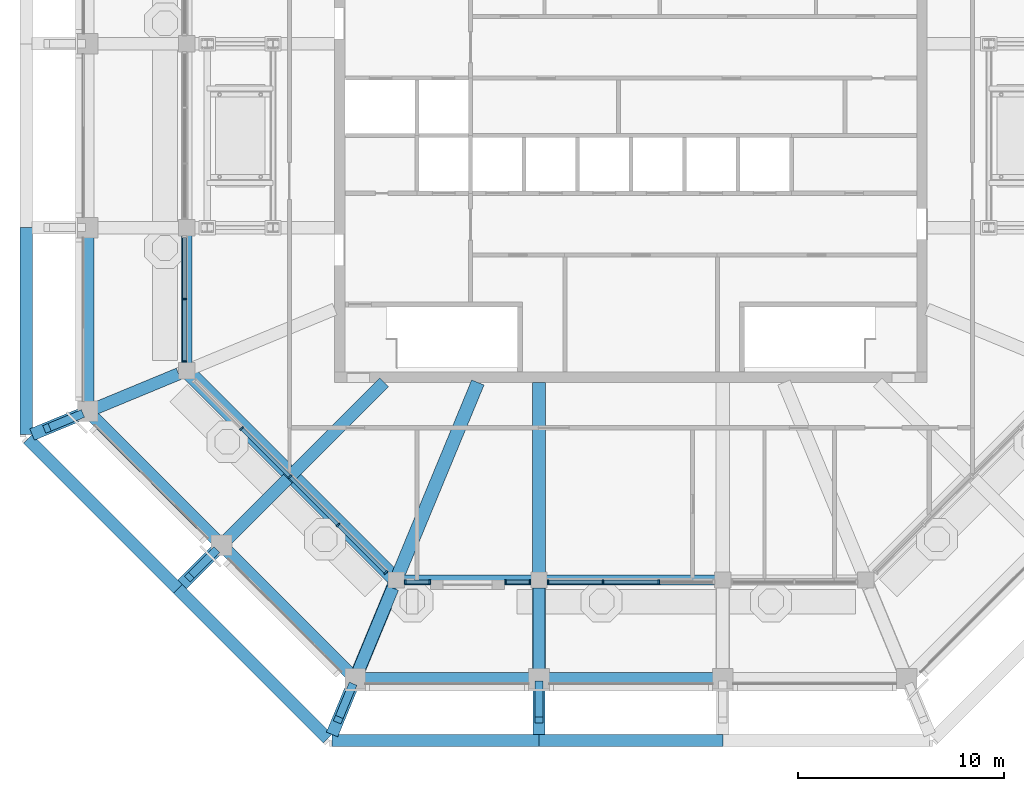
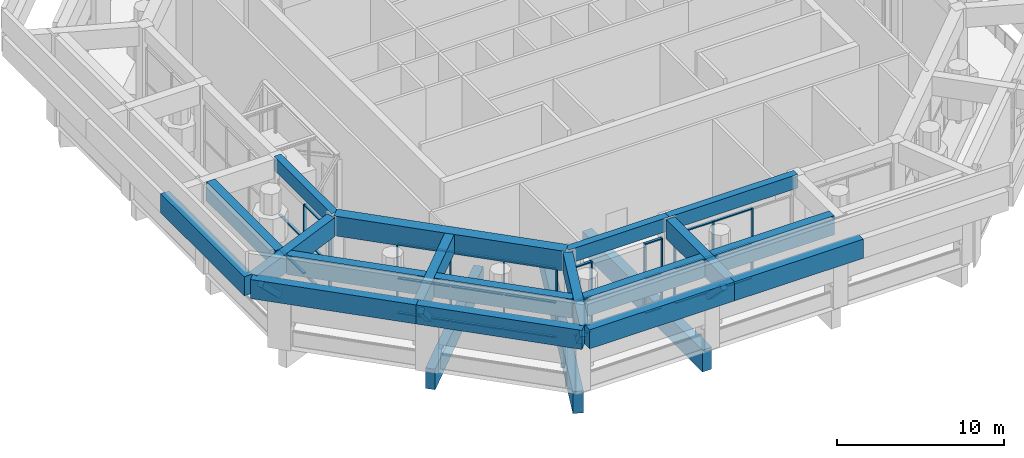
# One storey, part 5 of 29: 43 members, 21 beams, 5 elements without a shape of their own.
"""IFC4 building model written with IfcOpenShell, lengths in metres."""

from ifc_helpers import new_model, si_unit, direction, frame, origin, origin_2d, place, context, subcontext, project, spatial, rectangle, extrude, material, material_profile, profile_set, type_object, element, aggregate, save


model = new_model("IFC4")

# Units and contexts
model_context = context("Model", 3, precision=1e-05, world=origin(), true_north=direction((0.0, 1.0)))
body_context = subcontext(model_context, "Body", "Model", "MODEL_VIEW")
ifc_project = project(units=[si_unit("LENGTHUNIT", "METRE"), si_unit("AREAUNIT", "SQUARE_METRE"), si_unit("VOLUMEUNIT", "CUBIC_METRE"), si_unit("PLANEANGLEUNIT", "RADIAN"), si_unit("MASSUNIT", "GRAM", prefix="KILO")], contexts=[model_context])

# Site, building, storey
site_placement = place(None, origin())
site = spatial("IfcSite", under=ifc_project, at=site_placement, CompositionType="ELEMENT")
building_placement = place(site_placement, origin())
building = spatial("IfcBuilding", under=site, at=building_placement, Name="Msitu Wima Residences", CompositionType="ELEMENT")
storey_placement = place(building_placement, frame((0.0, 0.0, 320.10009765625)))
storey = spatial("IfcBuildingStorey", under=building, at=storey_placement, Name="L74", CompositionType="ELEMENT", Elevation=320.10009765625)

# Beams
ifc_material_1 = material(Name="Concrete C60/75", Category="concrete")
ifc_material_profile_1 = material_profile(ifc_material_1, rectangle(XDim=0.60009765625, YDim=1.39990234375, at=origin_2d()), Name="RC 600x1400")
ifc_profile_set_1 = profile_set([ifc_material_profile_1], Name="Concrete C60/75")
beam_type_1 = type_object("IfcBeamType", Name="Canopy cantilever beam CT600x1400", PredefinedType="BEAM", material=ifc_profile_set_1)
beam_1_placement = place(storey_placement, frame((-21.989013671875, -11.578857421875, 5.89990234375), z_axis=(-0.923884437241, -0.382671591087, 0.0), x_axis=(0.382671591087, -0.923884437241, 0.0)))
element("IfcBeam", 1, at=beam_1_placement, inside=storey, type_object=beam_type_1, Name="Canopy cantilever beam C-SW0", PredefinedType="BEAM", context=body_context, shape_type="SweptSolid", body=[
    extrude(rectangle(XDim=0.60009765625, YDim=1.39990234375, at=origin_2d()), origin(), (0.0, 0.0, 1.0), 7.708740234375),
])
beam_2_placement = place(storey_placement, frame((-16.677001953125, -16.677001953125, 5.89990234375), z_axis=(-0.707106781187, -0.707106781187, 0.0), x_axis=(0.707106781187, -0.707106781187, 0.0)))
element("IfcBeam", 2, at=beam_2_placement, inside=storey, type_object=beam_type_1, Name="Canopy cantilever beam C-SW1", PredefinedType="BEAM", context=body_context, shape_type="SweptSolid", body=[
    extrude(rectangle(XDim=0.60009765625, YDim=1.39990234375, at=origin_2d()), origin(), (0.0, 0.0, 1.0), 7.274169921875),
])
beam_3_placement = place(storey_placement, frame((-11.578857421875, -21.989013671875, 5.89990234375), z_axis=(-0.382671591087, -0.923884437241, 0.0), x_axis=(0.923884437241, -0.382671591087, 0.0)))
element("IfcBeam", 3, at=beam_3_placement, inside=storey, type_object=beam_type_1, Name="Canopy cantilever beam C-S0", PredefinedType="BEAM", context=body_context, shape_type="SweptSolid", body=[
    extrude(rectangle(XDim=0.60009765625, YDim=1.39990234375, at=origin_2d()), origin(), (0.0, 0.0, 1.0), 7.708740234375),
])
beam_4_placement = place(storey_placement, frame((-4.46875, -21.988037109375, 5.89990234375), z_axis=(0.0, -1.0, 0.0), x_axis=(1.0, 0.0, 0.0)))
element("IfcBeam", 4, at=beam_4_placement, inside=storey, type_object=beam_type_1, Name="Canopy cantilever beam C-S1", PredefinedType="BEAM", context=body_context, shape_type="SweptSolid", body=[
    extrude(rectangle(XDim=0.60009765625, YDim=1.39990234375, at=origin_2d()), origin(), (0.0, 0.0, 1.0), 7.1240234375),
])

# Members
ifc_material_profile_2 = material_profile(ifc_material_1, rectangle(XDim=0.39990234375, YDim=0.39990234375, at=origin_2d()), Name="RC 400x400")
ifc_profile_set_2 = profile_set([ifc_material_profile_2], Name="Concrete C60/75")
member_type_1 = type_object("IfcMemberType", Name="Canopy knee strut KS400", PredefinedType="STRUT", material=ifc_profile_set_2)
member_1_placement = place(storey_placement, frame((-26.7724609375, -13.560302734375, 3.699951171875), z_axis=(-0.653318495526, -0.270580195263, 0.707079416568), x_axis=(0.382643374349, -0.923896124067, 0.0)))
element("IfcMember", 5, at=member_1_placement, inside=storey, type_object=member_type_1, Name="Canopy knee strut C-SW0", PredefinedType="STRUT", context=body_context, shape_type="SweptSolid", body=[
    extrude(rectangle(XDim=0.39990234375, YDim=0.39990234375, at=origin_2d()), origin(), (0.0, 0.0, 1.0), 2.474853515625),
])
member_2_placement = place(storey_placement, frame((-20.22607421875, -20.22607421875, 3.699951171875), z_axis=(-0.500022618013, -0.500022618013, 0.707074793039), x_axis=(0.707106781187, -0.707106781187, 0.0)))
element("IfcMember", 6, at=member_2_placement, inside=storey, type_object=member_type_1, Name="Canopy knee strut C-SW1", PredefinedType="STRUT", context=body_context, shape_type="SweptSolid", body=[
    extrude(rectangle(XDim=0.39990234375, YDim=0.39990234375, at=origin_2d()), origin(), (0.0, 0.0, 1.0), 2.47509765625),
])
for number, where, z_axis, x_axis, name in (
    (7, (-13.560302734375, -26.7724609375, 3.699951171875), (-0.270580195263, -0.653318495526, 0.707079416568), (0.923896124067, -0.382643374349, 0.0), "Canopy knee strut C-S0"),
    (8, (-4.46875, -26.64990234375, 3.699951171875), (0.0, -0.707106781187, 0.707106781187), (1.0, 0.0, 0.0), "Canopy knee strut C-S1"),
):
    element("IfcMember", number, at=place(storey_placement, frame(where, z_axis=z_axis, x_axis=x_axis)), inside=storey, type_object=member_type_1, Name=name, PredefinedType="STRUT", context=body_context, shape_type="SweptSolid", body=[
        extrude(rectangle(XDim=0.39990234375, YDim=0.39990234375, at=origin_2d()), origin(), (0.0, 0.0, 1.0), 2.474853515625),
    ])

# Beams
ifc_material_profile_3 = material_profile(ifc_material_1, rectangle(XDim=0.5, YDim=1.0, at=origin_2d()), Name="RC 500x1000")
ifc_profile_set_3 = profile_set([ifc_material_profile_3], Name="Concrete C60/75")
beam_type_2 = type_object("IfcBeamType", Name="Chamber ring beam CB500x1000", PredefinedType="BEAM", material=ifc_profile_set_3)
for number, where, z_axis, x_axis, name in (
    (9, (-21.60009765625, -4.46875, 6.099853515625), (0.0, -1.0, 0.0), (1.0, 0.0, 0.0), "Chamber ring beam CH10"),
    (10, (-11.417724609375, -21.60009765625, 6.099853515625), (1.0, 0.0, 0.0), (0.0, 1.0, 0.0), "Chamber ring beam CH12"),
):
    element("IfcBeam", number, at=place(storey_placement, frame(where, z_axis=z_axis, x_axis=x_axis)), inside=storey, type_object=beam_type_2, Name=name, PredefinedType="BEAM", context=body_context, shape_type="SweptSolid", body=[
        extrude(rectangle(XDim=0.5, YDim=1.0, at=origin_2d()), origin(), (0.0, 0.0, 1.0), 6.948974609375),
    ])
beam_5_placement = place(storey_placement, frame((-4.46875, -21.60009765625, 6.099853515625), z_axis=(1.0, 0.0, 0.0), x_axis=(0.0, 1.0, 0.0)))
element("IfcBeam", 11, at=beam_5_placement, inside=storey, type_object=beam_type_2, Name="Chamber ring beam CH13", PredefinedType="BEAM", context=body_context, shape_type="SweptSolid", body=[
    extrude(rectangle(XDim=0.5, YDim=1.0, at=origin_2d()), origin(), (0.0, 0.0, 1.0), 8.9375),
])
ifc_material_profile_4 = material_profile(ifc_material_1, rectangle(XDim=0.75, YDim=1.449951171875, at=origin_2d()), Name="RC 750x1450")
ifc_profile_set_4 = profile_set([ifc_material_profile_4], Name="Concrete C60/75")
beam_type_3 = type_object("IfcBeamType", Name="Chamber ring beam CB750x1450", PredefinedType="BEAM", material=ifc_profile_set_4)
beam_6_placement = place(storey_placement, frame((-21.60009765625, -11.417724609375, 5.875), z_axis=(0.707106781187, -0.707106781187, 0.0), x_axis=(0.707106781187, 0.707106781187, 0.0)))
element("IfcBeam", 12, at=beam_6_placement, inside=storey, type_object=beam_type_3, Name="Chamber ring beam CH11", PredefinedType="BEAM", context=body_context, shape_type="SweptSolid", body=[
    extrude(rectangle(XDim=0.75, YDim=1.449951171875, at=origin_2d()), origin(), (0.0, 0.0, 1.0), 14.400146484375),
])
ifc_material_profile_5 = material_profile(ifc_material_1, rectangle(XDim=0.60009765625, YDim=1.5, at=origin_2d()), Name="RC 600x1500")
ifc_profile_set_5 = profile_set([ifc_material_profile_5], Name="Concrete C60/75")
beam_type_4 = type_object("IfcBeamType", Name="Deck girder DG600x1500", PredefinedType="BEAM", material=ifc_profile_set_5)
beam_7_placement = place(storey_placement, frame((-19.90283203125, -19.90283203125, -1.050048828125), z_axis=(0.707106781187, 0.707106781187, 0.0), x_axis=(-0.707106781187, 0.707106781187, 0.0)))
element("IfcBeam", 13, at=beam_7_placement, inside=storey, type_object=beam_type_4, Name="Deck girder C-SW1", PredefinedType="BEAM", context=body_context, shape_type="SweptSolid", body=[
    extrude(rectangle(XDim=0.60009765625, YDim=1.5, at=origin_2d()), origin(), (0.0, 0.0, 1.0), 11.17626953125),
])
ifc_material_profile_6 = material_profile(ifc_material_1, rectangle(XDim=0.64990234375, YDim=1.60009765625, at=origin_2d()), Name="RC 650x1600")
ifc_profile_set_6 = profile_set([ifc_material_profile_6], Name="Concrete C60/75")
beam_type_5 = type_object("IfcBeamType", Name="Deck girder DG650x1600", PredefinedType="BEAM", material=ifc_profile_set_6)
beam_8_placement = place(storey_placement, frame((-13.406005859375, -26.39990234375, -1.10009765625), z_axis=(0.382694872378, 0.92387479382, 0.0), x_axis=(-0.92387479382, 0.382694872378, 0.0)))
element("IfcBeam", 14, at=beam_8_placement, inside=storey, type_object=beam_type_5, Name="Deck girder C-S0", PredefinedType="BEAM", context=body_context, shape_type="SweptSolid", body=[
    extrude(rectangle(XDim=0.64990234375, YDim=1.60009765625, at=origin_2d()), origin(), (0.0, 0.0, 1.0), 15.58642578125),
])
beam_9_placement = place(storey_placement, frame((-4.46875, -26.39990234375, -1.10009765625), z_axis=(0.0, 1.0, 0.0), x_axis=(-1.0, 0.0, 0.0)))
element("IfcBeam", 15, at=beam_9_placement, inside=storey, type_object=beam_type_5, Name="Deck girder C-S1", PredefinedType="BEAM", context=body_context, shape_type="SweptSolid", body=[
    extrude(rectangle(XDim=0.64990234375, YDim=1.60009765625, at=origin_2d()), origin(), (0.0, 0.0, 1.0), 14.39990234375),
])
ifc_material_profile_7 = material_profile(ifc_material_1, rectangle(XDim=0.60009765625, YDim=1.39990234375, at=origin_2d()), Name="RC 600x1400")
ifc_profile_set_7 = profile_set([ifc_material_profile_7], Name="Concrete C60/75")
beam_type_6 = type_object("IfcBeamType", Name="Fascia beam FB600x1400", PredefinedType="BEAM", material=ifc_profile_set_7)
beam_10_placement = place(storey_placement, frame((-26.39990234375, -4.756591796875, 5.89990234375), z_axis=(0.0, -1.0, 0.0), x_axis=(1.0, 0.0, 0.0)))
element("IfcBeam", 16, at=beam_10_placement, inside=storey, type_object=beam_type_6, Name="Canopy fascia beam C-W2", PredefinedType="BEAM", context=body_context, shape_type="SweptSolid", body=[
    extrude(rectangle(XDim=0.60009765625, YDim=1.39990234375, at=origin_2d()), origin(), (0.0, 0.0, 1.0), 8.336669921875),
])
for number, where, z_axis, x_axis, name in (
    (17, (-26.178955078125, -13.626953125, 5.89990234375), (0.707106781187, -0.707106781187, 0.0), (0.707106781187, 0.707106781187, 0.0), "Canopy fascia beam C-SW0"),
    (18, (-19.69921875, -20.106689453125, 5.89990234375), (0.707106781187, -0.707106781187, 0.0), (0.707106781187, 0.707106781187, 0.0), "Canopy fascia beam C-SW1"),
):
    element("IfcBeam", number, at=place(storey_placement, frame(where, z_axis=z_axis, x_axis=x_axis)), inside=storey, type_object=beam_type_6, Name=name, PredefinedType="BEAM", context=body_context, shape_type="SweptSolid", body=[
        extrude(rectangle(XDim=0.60009765625, YDim=1.39990234375, at=origin_2d()), origin(), (0.0, 0.0, 1.0), 8.58740234375),
    ])
beam_11_placement = place(storey_placement, frame((-13.09326171875, -26.39990234375, 5.89990234375), z_axis=(1.0, 0.0, 0.0), x_axis=(0.0, 1.0, 0.0)))
element("IfcBeam", 19, at=beam_11_placement, inside=storey, type_object=beam_type_6, Name="Canopy fascia beam C-S0", PredefinedType="BEAM", context=body_context, shape_type="SweptSolid", body=[
    extrude(rectangle(XDim=0.60009765625, YDim=1.39990234375, at=origin_2d()), origin(), (0.0, 0.0, 1.0), 8.336669921875),
])
beam_12_placement = place(storey_placement, frame((-4.1806640625, -26.39990234375, 5.89990234375), z_axis=(1.0, 0.0, 0.0), x_axis=(0.0, 1.0, 0.0)))
element("IfcBeam", 20, at=beam_12_placement, inside=storey, type_object=beam_type_6, Name="Canopy fascia beam C-S1", PredefinedType="BEAM", context=body_context, shape_type="SweptSolid", body=[
    extrude(rectangle(XDim=0.60009765625, YDim=1.39990234375, at=origin_2d()), origin(), (0.0, 0.0, 1.0), 8.361328125),
])
beam_13_placement = place(storey_placement, frame((-29.39990234375, -4.46875, 5.89990234375), z_axis=(0.0, -1.0, 0.0), x_axis=(1.0, 0.0, 0.0)))
element("IfcBeam", 21, at=beam_13_placement, inside=storey, type_object=beam_type_6, Name="Canopy edge fascia beam C-W2", PredefinedType="BEAM", context=body_context, shape_type="SweptSolid", body=[
    extrude(rectangle(XDim=0.60009765625, YDim=1.39990234375, at=origin_2d()), origin(), (0.0, 0.0, 1.0), 10.055419921875),
])
for number, where, z_axis, x_axis, name in (
    (22, (-29.31201171875, -14.736328125, 5.89990234375), (0.707106781187, -0.707106781187, 0.0), (0.707106781187, 0.707106781187, 0.0), "Canopy edge fascia beam C-SW0"),
    (23, (-22.024169921875, -22.024169921875, 5.89990234375), (0.707106781187, -0.707106781187, 0.0), (0.707106781187, 0.707106781187, 0.0), "Canopy edge fascia beam C-SW1"),
):
    element("IfcBeam", number, at=place(storey_placement, frame(where, z_axis=z_axis, x_axis=x_axis)), inside=storey, type_object=beam_type_6, Name=name, PredefinedType="BEAM", context=body_context, shape_type="SweptSolid", body=[
        extrude(rectangle(XDim=0.60009765625, YDim=1.39990234375, at=origin_2d()), origin(), (0.0, 0.0, 1.0), 10.306640625),
    ])
beam_14_placement = place(storey_placement, frame((-14.524169921875, -29.39990234375, 5.89990234375), z_axis=(1.0, 0.0, 0.0), x_axis=(0.0, 1.0, 0.0)))
element("IfcBeam", 24, at=beam_14_placement, inside=storey, type_object=beam_type_6, Name="Canopy edge fascia beam C-S0", PredefinedType="BEAM", context=body_context, shape_type="SweptSolid", body=[
    extrude(rectangle(XDim=0.60009765625, YDim=1.39990234375, at=origin_2d()), origin(), (0.0, 0.0, 1.0), 10.055419921875),
])
beam_15_placement = place(storey_placement, frame((-4.46875, -29.39990234375, 5.89990234375), z_axis=(1.0, 0.0, 0.0), x_axis=(0.0, 1.0, 0.0)))
element("IfcBeam", 25, at=beam_15_placement, inside=storey, type_object=beam_type_6, Name="Canopy edge fascia beam C-S1", PredefinedType="BEAM", context=body_context, shape_type="SweptSolid", body=[
    extrude(rectangle(XDim=0.60009765625, YDim=1.39990234375, at=origin_2d()), origin(), (0.0, 0.0, 1.0), 8.9375),
])

# Curtain wall, members
ifc_material_2 = material(Name="Anodised aluminium, bronze finish, clear laminated double glazing", Category="aluminium")
curtain_wall_type = type_object("IfcCurtainWallType", Name="Curtain wall CW4 damper chamber wall", PredefinedType="NOTDEFINED", material=ifc_material_2)
curtain_wall_1_placement = place(storey_placement, origin())
curtain_wall_1 = element("IfcCurtainWall", 26, at=curtain_wall_1_placement, inside=storey, type_object=curtain_wall_type, Name="Curtain wall CW4 L74 CH-4c0", PredefinedType="NOTDEFINED")
ifc_material_3 = material(Name="Anodised aluminium, bronze finish", Category="aluminium")
ifc_material_profile_8 = material_profile(ifc_material_3, rectangle(XDim=0.219970703125, YDim=0.0849609375, at=origin_2d()), Name="Mullion 85x220")
ifc_profile_set_8 = profile_set([ifc_material_profile_8], Name="Anodised aluminium, bronze finish")
member_type_2 = type_object("IfcMemberType", Name="Mullion CW4 85x220", PredefinedType="MULLION", material=ifc_profile_set_8)
member_3_placement = place(storey_placement, frame((-21.699951171875, -7.943115234375, 0.0), z_axis=(0.0, 0.0, 1.0), x_axis=(1.0, 0.0, 0.0)))
member_3 = element("IfcMember", 27, at=member_3_placement, type_object=member_type_2, Name="CW4 mullion 2", PredefinedType="MULLION", context=body_context, shape_type="SweptSolid", body=[
    extrude(rectangle(XDim=0.219970703125, YDim=0.0849609375, at=origin_2d()), origin(), (0.0, 0.0, 1.0), 5.14990234375),
])
member_4_placement = place(storey_placement, frame((-21.699951171875, -10.97509765625, 0.0), z_axis=(0.0, 0.0, 1.0), x_axis=(1.0, 0.0, 0.0)))
member_4 = element("IfcMember", 28, at=member_4_placement, type_object=member_type_2, Name="CW4 mullion 3", PredefinedType="MULLION", context=body_context, shape_type="SweptSolid", body=[
    extrude(rectangle(XDim=0.219970703125, YDim=0.0849609375, at=origin_2d()), origin(), (0.0, 0.0, 1.0), 5.14990234375),
])

curtain_wall_2_placement = place(storey_placement, origin())
curtain_wall_2 = element("IfcCurtainWall", 29, at=curtain_wall_2_placement, inside=storey, type_object=curtain_wall_type, Name="Curtain wall CW4 L74 CH-5a0", PredefinedType="NOTDEFINED")
member_5_placement = place(storey_placement, frame((-18.925048828125, -14.23388671875, 0.0), z_axis=(0.0, 0.0, 1.0), x_axis=(0.707106781187, 0.707106781187, 0.0)))
member_5 = element("IfcMember", 30, at=member_5_placement, type_object=member_type_2, Name="CW4 mullion 2", PredefinedType="MULLION", context=body_context, shape_type="SweptSolid", body=[
    extrude(rectangle(XDim=0.219970703125, YDim=0.0849609375, at=origin_2d()), origin(), (0.0, 0.0, 1.0), 5.14990234375),
])
member_6_placement = place(storey_placement, frame((-16.57958984375, -16.57958984375, 0.0), z_axis=(0.0, 0.0, 1.0), x_axis=(0.707106781187, 0.707106781187, 0.0)))
member_6 = element("IfcMember", 31, at=member_6_placement, type_object=member_type_2, Name="CW4 mullion 3", PredefinedType="MULLION", context=body_context, shape_type="SweptSolid", body=[
    extrude(rectangle(XDim=0.219970703125, YDim=0.0849609375, at=origin_2d()), origin(), (0.0, 0.0, 1.0), 5.14990234375),
])
member_7_placement = place(storey_placement, frame((-14.23388671875, -18.925048828125, 0.0), z_axis=(0.0, 0.0, 1.0), x_axis=(0.707106781187, 0.707106781187, 0.0)))
member_7 = element("IfcMember", 32, at=member_7_placement, type_object=member_type_2, Name="CW4 mullion 4", PredefinedType="MULLION", context=body_context, shape_type="SweptSolid", body=[
    extrude(rectangle(XDim=0.219970703125, YDim=0.0849609375, at=origin_2d()), origin(), (0.0, 0.0, 1.0), 5.14990234375),
])
member_8_placement = place(storey_placement, frame((-11.91845703125, -21.24072265625, 0.0), z_axis=(0.0, 0.0, 1.0), x_axis=(0.707106781187, 0.707106781187, 0.0)))
member_8 = element("IfcMember", 33, at=member_8_placement, type_object=member_type_2, Name="CW4 mullion 5", PredefinedType="MULLION", context=body_context, shape_type="SweptSolid", body=[
    extrude(rectangle(XDim=0.219970703125, YDim=0.0849609375, at=origin_2d()), origin(), (0.0, 0.0, 1.0), 5.14990234375),
])

curtain_wall_3_placement = place(storey_placement, origin())
curtain_wall_3 = element("IfcCurtainWall", 34, at=curtain_wall_3_placement, inside=storey, type_object=curtain_wall_type, Name="Curtain wall CW4 L74 CH-6a0", PredefinedType="NOTDEFINED")
member_9_placement = place(storey_placement, frame((-10.97509765625, -21.699951171875, 0.0), z_axis=(0.0, 0.0, 1.0), x_axis=(0.0, 1.0, 0.0)))
member_9 = element("IfcMember", 35, at=member_9_placement, type_object=member_type_2, Name="CW4 mullion 1", PredefinedType="MULLION", context=body_context, shape_type="SweptSolid", body=[
    extrude(rectangle(XDim=0.219970703125, YDim=0.0849609375, at=origin_2d()), origin(), (0.0, 0.0, 1.0), 5.14990234375),
])
member_10_placement = place(storey_placement, frame((-9.78564453125, -21.699951171875, 0.0), z_axis=(0.0, 0.0, 1.0), x_axis=(0.0, 1.0, 0.0)))
member_10 = element("IfcMember", 36, at=member_10_placement, type_object=member_type_2, Name="CW4 mullion 2", PredefinedType="MULLION", context=body_context, shape_type="SweptSolid", body=[
    extrude(rectangle(XDim=0.219970703125, YDim=0.0849609375, at=origin_2d()), origin(), (0.0, 0.0, 1.0), 5.14990234375),
])

curtain_wall_4_placement = place(storey_placement, origin())
curtain_wall_4 = element("IfcCurtainWall", 37, at=curtain_wall_4_placement, inside=storey, type_object=curtain_wall_type, Name="Curtain wall CW4 L74 CH-6a2", PredefinedType="NOTDEFINED")
member_11_placement = place(storey_placement, frame((-6.1005859375, -21.699951171875, 0.0), z_axis=(0.0, 0.0, 1.0), x_axis=(0.0, 1.0, 0.0)))
member_11 = element("IfcMember", 38, at=member_11_placement, type_object=member_type_2, Name="CW4 mullion 1", PredefinedType="MULLION", context=body_context, shape_type="SweptSolid", body=[
    extrude(rectangle(XDim=0.219970703125, YDim=0.0849609375, at=origin_2d()), origin(), (0.0, 0.0, 1.0), 5.14990234375),
])
member_12_placement = place(storey_placement, frame((-4.9111328125, -21.699951171875, 0.0), z_axis=(0.0, 0.0, 1.0), x_axis=(0.0, 1.0, 0.0)))
member_12 = element("IfcMember", 39, at=member_12_placement, type_object=member_type_2, Name="CW4 mullion 2", PredefinedType="MULLION", context=body_context, shape_type="SweptSolid", body=[
    extrude(rectangle(XDim=0.219970703125, YDim=0.0849609375, at=origin_2d()), origin(), (0.0, 0.0, 1.0), 5.14990234375),
])

curtain_wall_5_placement = place(storey_placement, origin())
curtain_wall_5 = element("IfcCurtainWall", 40, at=curtain_wall_5_placement, inside=storey, type_object=curtain_wall_type, Name="Curtain wall CW4 L74 CH-6b0", PredefinedType="NOTDEFINED")
member_13_placement = place(storey_placement, frame((-4.026123046875, -21.699951171875, 0.0), z_axis=(0.0, 0.0, 1.0), x_axis=(0.0, 1.0, 0.0)))
member_13 = element("IfcMember", 41, at=member_13_placement, type_object=member_type_2, Name="CW4 mullion 1", PredefinedType="MULLION", context=body_context, shape_type="SweptSolid", body=[
    extrude(rectangle(XDim=0.219970703125, YDim=0.0849609375, at=origin_2d()), origin(), (0.0, 0.0, 1.0), 5.14990234375),
])
member_14_placement = place(storey_placement, frame((-1.356201171875, -21.699951171875, 0.0), z_axis=(0.0, 0.0, 1.0), x_axis=(0.0, 1.0, 0.0)))
member_14 = element("IfcMember", 42, at=member_14_placement, type_object=member_type_2, Name="CW4 mullion 2", PredefinedType="MULLION", context=body_context, shape_type="SweptSolid", body=[
    extrude(rectangle(XDim=0.219970703125, YDim=0.0849609375, at=origin_2d()), origin(), (0.0, 0.0, 1.0), 5.14990234375),
])
member_15_placement = place(storey_placement, frame((1.356201171875, -21.699951171875, 0.0), z_axis=(0.0, 0.0, 1.0), x_axis=(0.0, 1.0, 0.0)))
member_15 = element("IfcMember", 43, at=member_15_placement, type_object=member_type_2, Name="CW4 mullion 3", PredefinedType="MULLION", context=body_context, shape_type="SweptSolid", body=[
    extrude(rectangle(XDim=0.219970703125, YDim=0.0849609375, at=origin_2d()), origin(), (0.0, 0.0, 1.0), 5.14990234375),
])

# Member
ifc_material_profile_9 = material_profile(ifc_material_3, rectangle(XDim=0.179931640625, YDim=0.0849609375, at=origin_2d()), Name="Transom 85x180")
ifc_profile_set_9 = profile_set([ifc_material_profile_9], Name="Anodised aluminium, bronze finish")
member_type_3 = type_object("IfcMemberType", Name="Transom CW4 85x180", PredefinedType="USERDEFINED", material=ifc_profile_set_9)
member_16_placement = place(storey_placement, frame((-21.699951171875, -4.95361328125, 0.04248046875), z_axis=(0.0, -1.0, 0.0), x_axis=(1.0, 0.0, 0.0)))
member_16 = element("IfcMember", 44, at=member_16_placement, type_object=member_type_3, Name="CW4 transom 1.1", ObjectType="TRANSOM", PredefinedType="USERDEFINED", context=body_context, shape_type="SweptSolid", body=[
    extrude(rectangle(XDim=0.179931640625, YDim=0.0849609375, at=origin_2d()), origin(), (0.0, 0.0, 1.0), 2.947021484375),
])

member_17_placement = place(storey_placement, frame((-21.699951171875, -4.95361328125, 2.574951171875), z_axis=(0.0, -1.0, 0.0), x_axis=(1.0, 0.0, 0.0)))
member_17 = element("IfcMember", 45, at=member_17_placement, type_object=member_type_3, Name="CW4 transom 1.2", ObjectType="TRANSOM", PredefinedType="USERDEFINED", context=body_context, shape_type="SweptSolid", body=[
    extrude(rectangle(XDim=0.179931640625, YDim=0.0849609375, at=origin_2d()), origin(), (0.0, 0.0, 1.0), 2.947021484375),
])

member_18_placement = place(storey_placement, frame((-21.699951171875, -7.985595703125, 0.04248046875), z_axis=(0.0, -1.0, 0.0), x_axis=(1.0, 0.0, 0.0)))
member_18 = element("IfcMember", 46, at=member_18_placement, type_object=member_type_3, Name="CW4 transom 2.1", ObjectType="TRANSOM", PredefinedType="USERDEFINED", context=body_context, shape_type="SweptSolid", body=[
    extrude(rectangle(XDim=0.179931640625, YDim=0.0849609375, at=origin_2d()), origin(), (0.0, 0.0, 1.0), 2.947021484375),
])

member_19_placement = place(storey_placement, frame((-21.699951171875, -7.985595703125, 2.574951171875), z_axis=(0.0, -1.0, 0.0), x_axis=(1.0, 0.0, 0.0)))
member_19 = element("IfcMember", 47, at=member_19_placement, type_object=member_type_3, Name="CW4 transom 2.2", ObjectType="TRANSOM", PredefinedType="USERDEFINED", context=body_context, shape_type="SweptSolid", body=[
    extrude(rectangle(XDim=0.179931640625, YDim=0.0849609375, at=origin_2d()), origin(), (0.0, 0.0, 1.0), 2.947021484375),
])

member_20_placement = place(storey_placement, frame((-21.699951171875, -7.985595703125, 5.107421875), z_axis=(0.0, -1.0, 0.0), x_axis=(1.0, 0.0, 0.0)))
member_20 = element("IfcMember", 48, at=member_20_placement, type_object=member_type_3, Name="CW4 transom 2.3", ObjectType="TRANSOM", PredefinedType="USERDEFINED", context=body_context, shape_type="SweptSolid", body=[
    extrude(rectangle(XDim=0.179931640625, YDim=0.0849609375, at=origin_2d()), origin(), (0.0, 0.0, 1.0), 2.947021484375),
])

aggregate(curtain_wall_1, [member_3, member_4, member_16, member_17, member_18, member_19, member_20])

member_21_placement = place(storey_placement, frame((-18.89501953125, -14.263916015625, 0.04248046875), z_axis=(0.707069013432, -0.707144546924, 0.0), x_axis=(0.707144546924, 0.707069013432, 0.0)))
member_21 = element("IfcMember", 49, at=member_21_placement, type_object=member_type_3, Name="CW4 transom 2.1", ObjectType="TRANSOM", PredefinedType="USERDEFINED", context=body_context, shape_type="SweptSolid", body=[
    extrude(rectangle(XDim=0.179931640625, YDim=0.0849609375, at=origin_2d()), origin(), (0.0, 0.0, 1.0), 3.232177734375),
])

member_22_placement = place(storey_placement, frame((-18.89501953125, -14.263916015625, 2.574951171875), z_axis=(0.707069013432, -0.707144546924, 0.0), x_axis=(0.707144546924, 0.707069013432, 0.0)))
member_22 = element("IfcMember", 50, at=member_22_placement, type_object=member_type_3, Name="CW4 transom 2.2", ObjectType="TRANSOM", PredefinedType="USERDEFINED", context=body_context, shape_type="SweptSolid", body=[
    extrude(rectangle(XDim=0.179931640625, YDim=0.0849609375, at=origin_2d()), origin(), (0.0, 0.0, 1.0), 3.232177734375),
])

member_23_placement = place(storey_placement, frame((-18.89501953125, -14.263916015625, 5.107421875), z_axis=(0.707069013432, -0.707144546924, 0.0), x_axis=(0.707144546924, 0.707069013432, 0.0)))
member_23 = element("IfcMember", 51, at=member_23_placement, type_object=member_type_3, Name="CW4 transom 2.3", ObjectType="TRANSOM", PredefinedType="USERDEFINED", context=body_context, shape_type="SweptSolid", body=[
    extrude(rectangle(XDim=0.179931640625, YDim=0.0849609375, at=origin_2d()), origin(), (0.0, 0.0, 1.0), 3.232177734375),
])

member_24_placement = place(storey_placement, frame((-16.549560546875, -16.609619140625, 0.04248046875), z_axis=(0.707144546924, -0.707069013432, 0.0), x_axis=(0.707069013432, 0.707144546924, 0.0)))
member_24 = element("IfcMember", 52, at=member_24_placement, type_object=member_type_3, Name="CW4 transom 3.1", ObjectType="TRANSOM", PredefinedType="USERDEFINED", context=body_context, shape_type="SweptSolid", body=[
    extrude(rectangle(XDim=0.179931640625, YDim=0.0849609375, at=origin_2d()), origin(), (0.0, 0.0, 1.0), 3.232177734375),
])

member_25_placement = place(storey_placement, frame((-16.549560546875, -16.609619140625, 2.574951171875), z_axis=(0.707144546924, -0.707069013432, 0.0), x_axis=(0.707069013432, 0.707144546924, 0.0)))
member_25 = element("IfcMember", 53, at=member_25_placement, type_object=member_type_3, Name="CW4 transom 3.2", ObjectType="TRANSOM", PredefinedType="USERDEFINED", context=body_context, shape_type="SweptSolid", body=[
    extrude(rectangle(XDim=0.179931640625, YDim=0.0849609375, at=origin_2d()), origin(), (0.0, 0.0, 1.0), 3.232177734375),
])

member_26_placement = place(storey_placement, frame((-16.549560546875, -16.609619140625, 5.107421875), z_axis=(0.707144546924, -0.707069013432, 0.0), x_axis=(0.707069013432, 0.707144546924, 0.0)))
member_26 = element("IfcMember", 54, at=member_26_placement, type_object=member_type_3, Name="CW4 transom 3.3", ObjectType="TRANSOM", PredefinedType="USERDEFINED", context=body_context, shape_type="SweptSolid", body=[
    extrude(rectangle(XDim=0.179931640625, YDim=0.0849609375, at=origin_2d()), origin(), (0.0, 0.0, 1.0), 3.232177734375),
])

member_27_placement = place(storey_placement, frame((-14.203857421875, -18.955078125, 0.04248046875), z_axis=(0.707068510584, -0.707145049717, 0.0), x_axis=(0.707145049717, 0.707068510584, 0.0)))
member_27 = element("IfcMember", 55, at=member_27_placement, type_object=member_type_3, Name="CW4 transom 4.1", ObjectType="TRANSOM", PredefinedType="USERDEFINED", context=body_context, shape_type="SweptSolid", body=[
    extrude(rectangle(XDim=0.179931640625, YDim=0.0849609375, at=origin_2d()), origin(), (0.0, 0.0, 1.0), 3.189697265625),
])

member_28_placement = place(storey_placement, frame((-14.203857421875, -18.955078125, 2.574951171875), z_axis=(0.707068510584, -0.707145049717, 0.0), x_axis=(0.707145049717, 0.707068510584, 0.0)))
member_28 = element("IfcMember", 56, at=member_28_placement, type_object=member_type_3, Name="CW4 transom 4.2", ObjectType="TRANSOM", PredefinedType="USERDEFINED", context=body_context, shape_type="SweptSolid", body=[
    extrude(rectangle(XDim=0.179931640625, YDim=0.0849609375, at=origin_2d()), origin(), (0.0, 0.0, 1.0), 3.189697265625),
])

member_29_placement = place(storey_placement, frame((-14.203857421875, -18.955078125, 5.107421875), z_axis=(0.707068510584, -0.707145049717, 0.0), x_axis=(0.707145049717, 0.707068510584, 0.0)))
member_29 = element("IfcMember", 57, at=member_29_placement, type_object=member_type_3, Name="CW4 transom 4.3", ObjectType="TRANSOM", PredefinedType="USERDEFINED", context=body_context, shape_type="SweptSolid", body=[
    extrude(rectangle(XDim=0.179931640625, YDim=0.0849609375, at=origin_2d()), origin(), (0.0, 0.0, 1.0), 3.189697265625),
])

aggregate(curtain_wall_2, [member_5, member_6, member_7, member_8, member_21, member_22, member_23, member_24, member_25, member_26, member_27, member_28, member_29])

member_30_placement = place(storey_placement, frame((-10.9326171875, -21.699951171875, 0.04248046875), z_axis=(1.0, 0.0, 0.0), x_axis=(0.0, 1.0, 0.0)))
member_30 = element("IfcMember", 58, at=member_30_placement, type_object=member_type_3, Name="CW4 transom 1.1", ObjectType="TRANSOM", PredefinedType="USERDEFINED", context=body_context, shape_type="SweptSolid", body=[
    extrude(rectangle(XDim=0.179931640625, YDim=0.0849609375, at=origin_2d()), origin(), (0.0, 0.0, 1.0), 1.1044921875),
])

member_31_placement = place(storey_placement, frame((-10.9326171875, -21.699951171875, 2.574951171875), z_axis=(1.0, 0.0, 0.0), x_axis=(0.0, 1.0, 0.0)))
member_31 = element("IfcMember", 59, at=member_31_placement, type_object=member_type_3, Name="CW4 transom 1.2", ObjectType="TRANSOM", PredefinedType="USERDEFINED", context=body_context, shape_type="SweptSolid", body=[
    extrude(rectangle(XDim=0.179931640625, YDim=0.0849609375, at=origin_2d()), origin(), (0.0, 0.0, 1.0), 1.1044921875),
])

member_32_placement = place(storey_placement, frame((-10.9326171875, -21.699951171875, 5.107421875), z_axis=(1.0, 0.0, 0.0), x_axis=(0.0, 1.0, 0.0)))
member_32 = element("IfcMember", 60, at=member_32_placement, type_object=member_type_3, Name="CW4 transom 1.3", ObjectType="TRANSOM", PredefinedType="USERDEFINED", context=body_context, shape_type="SweptSolid", body=[
    extrude(rectangle(XDim=0.179931640625, YDim=0.0849609375, at=origin_2d()), origin(), (0.0, 0.0, 1.0), 1.1044921875),
])

aggregate(curtain_wall_3, [member_9, member_10, member_30, member_31, member_32])

member_33_placement = place(storey_placement, frame((-6.05810546875, -21.699951171875, 0.04248046875), z_axis=(1.0, 0.0, 0.0), x_axis=(0.0, 1.0, 0.0)))
member_33 = element("IfcMember", 61, at=member_33_placement, type_object=member_type_3, Name="CW4 transom 1.1", ObjectType="TRANSOM", PredefinedType="USERDEFINED", context=body_context, shape_type="SweptSolid", body=[
    extrude(rectangle(XDim=0.179931640625, YDim=0.0849609375, at=origin_2d()), origin(), (0.0, 0.0, 1.0), 1.1044921875),
])

member_34_placement = place(storey_placement, frame((-6.05810546875, -21.699951171875, 2.574951171875), z_axis=(1.0, 0.0, 0.0), x_axis=(0.0, 1.0, 0.0)))
member_34 = element("IfcMember", 62, at=member_34_placement, type_object=member_type_3, Name="CW4 transom 1.2", ObjectType="TRANSOM", PredefinedType="USERDEFINED", context=body_context, shape_type="SweptSolid", body=[
    extrude(rectangle(XDim=0.179931640625, YDim=0.0849609375, at=origin_2d()), origin(), (0.0, 0.0, 1.0), 1.1044921875),
])

member_35_placement = place(storey_placement, frame((-6.05810546875, -21.699951171875, 5.107421875), z_axis=(1.0, 0.0, 0.0), x_axis=(0.0, 1.0, 0.0)))
member_35 = element("IfcMember", 63, at=member_35_placement, type_object=member_type_3, Name="CW4 transom 1.3", ObjectType="TRANSOM", PredefinedType="USERDEFINED", context=body_context, shape_type="SweptSolid", body=[
    extrude(rectangle(XDim=0.179931640625, YDim=0.0849609375, at=origin_2d()), origin(), (0.0, 0.0, 1.0), 1.1044921875),
])

aggregate(curtain_wall_4, [member_11, member_12, member_33, member_34, member_35])

member_36_placement = place(storey_placement, frame((-3.983642578125, -21.699951171875, 0.04248046875), z_axis=(1.0, 0.0, 0.0), x_axis=(0.0, 1.0, 0.0)))
member_36 = element("IfcMember", 64, at=member_36_placement, type_object=member_type_3, Name="CW4 transom 1.1", ObjectType="TRANSOM", PredefinedType="USERDEFINED", context=body_context, shape_type="SweptSolid", body=[
    extrude(rectangle(XDim=0.179931640625, YDim=0.0849609375, at=origin_2d()), origin(), (0.0, 0.0, 1.0), 2.5849609375),
])

member_37_placement = place(storey_placement, frame((-3.983642578125, -21.699951171875, 2.574951171875), z_axis=(1.0, 0.0, 0.0), x_axis=(0.0, 1.0, 0.0)))
member_37 = element("IfcMember", 65, at=member_37_placement, type_object=member_type_3, Name="CW4 transom 1.2", ObjectType="TRANSOM", PredefinedType="USERDEFINED", context=body_context, shape_type="SweptSolid", body=[
    extrude(rectangle(XDim=0.179931640625, YDim=0.0849609375, at=origin_2d()), origin(), (0.0, 0.0, 1.0), 2.5849609375),
])

member_38_placement = place(storey_placement, frame((-3.983642578125, -21.699951171875, 5.107421875), z_axis=(1.0, 0.0, 0.0), x_axis=(0.0, 1.0, 0.0)))
member_38 = element("IfcMember", 66, at=member_38_placement, type_object=member_type_3, Name="CW4 transom 1.3", ObjectType="TRANSOM", PredefinedType="USERDEFINED", context=body_context, shape_type="SweptSolid", body=[
    extrude(rectangle(XDim=0.179931640625, YDim=0.0849609375, at=origin_2d()), origin(), (0.0, 0.0, 1.0), 2.5849609375),
])

member_39_placement = place(storey_placement, frame((-1.313720703125, -21.699951171875, 0.04248046875), z_axis=(1.0, 0.0, 0.0), x_axis=(0.0, 1.0, 0.0)))
member_39 = element("IfcMember", 67, at=member_39_placement, type_object=member_type_3, Name="CW4 transom 2.1", ObjectType="TRANSOM", PredefinedType="USERDEFINED", context=body_context, shape_type="SweptSolid", body=[
    extrude(rectangle(XDim=0.179931640625, YDim=0.0849609375, at=origin_2d()), origin(), (0.0, 0.0, 1.0), 2.62744140625),
])

member_40_placement = place(storey_placement, frame((-1.313720703125, -21.699951171875, 2.574951171875), z_axis=(1.0, 0.0, 0.0), x_axis=(0.0, 1.0, 0.0)))
member_40 = element("IfcMember", 68, at=member_40_placement, type_object=member_type_3, Name="CW4 transom 2.2", ObjectType="TRANSOM", PredefinedType="USERDEFINED", context=body_context, shape_type="SweptSolid", body=[
    extrude(rectangle(XDim=0.179931640625, YDim=0.0849609375, at=origin_2d()), origin(), (0.0, 0.0, 1.0), 2.62744140625),
])

member_41_placement = place(storey_placement, frame((-1.313720703125, -21.699951171875, 5.107421875), z_axis=(1.0, 0.0, 0.0), x_axis=(0.0, 1.0, 0.0)))
member_41 = element("IfcMember", 69, at=member_41_placement, type_object=member_type_3, Name="CW4 transom 2.3", ObjectType="TRANSOM", PredefinedType="USERDEFINED", context=body_context, shape_type="SweptSolid", body=[
    extrude(rectangle(XDim=0.179931640625, YDim=0.0849609375, at=origin_2d()), origin(), (0.0, 0.0, 1.0), 2.62744140625),
])

aggregate(curtain_wall_5, [member_13, member_14, member_15, member_36, member_37, member_38, member_39, member_40, member_41])

save(model, "model.ifc")
